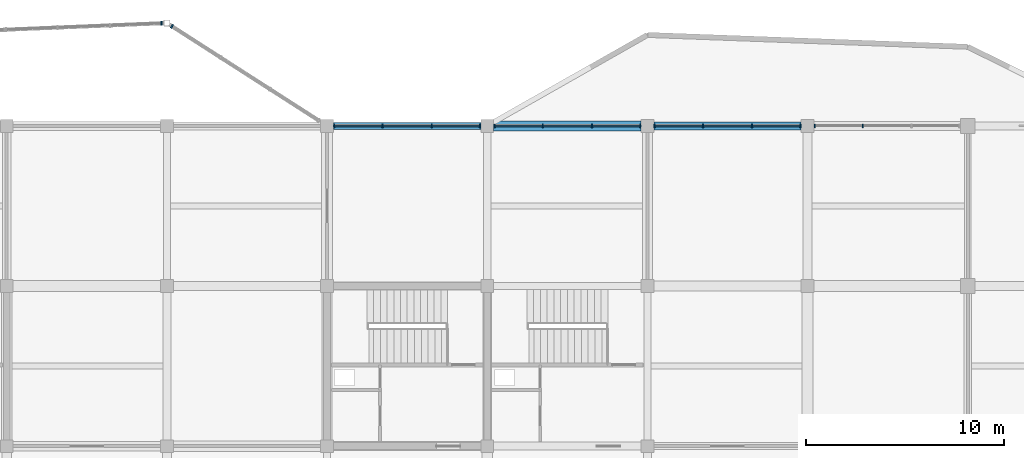
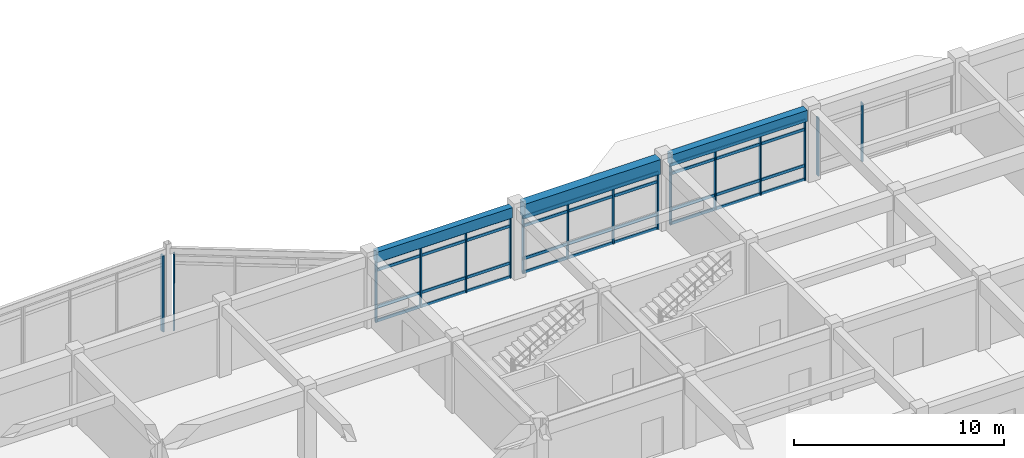
# One storey, part 37 of 70: 28 members, 3 beams, 6 elements without a shape of their own.
"""IFC4 building model written with IfcOpenShell, lengths in metres."""

from ifc_helpers import new_model, si_unit, direction, frame, origin, origin_2d, place, context, subcontext, project, spatial, rectangle, extrude, material, layer, layer_set, material_profile, profile_set, type_object, element, aggregate, save


model = new_model("IFC4")

# Units and contexts
model_context = context("Model", 3, precision=1e-05, world=origin(), true_north=direction((0.0, 1.0)))
body_context = subcontext(model_context, "Body", "Model", "MODEL_VIEW")
ifc_project = project(units=[si_unit("LENGTHUNIT", "METRE"), si_unit("AREAUNIT", "SQUARE_METRE"), si_unit("VOLUMEUNIT", "CUBIC_METRE"), si_unit("PLANEANGLEUNIT", "RADIAN"), si_unit("MASSUNIT", "GRAM", prefix="KILO")], contexts=[model_context])

# Site, building, storey
site_placement = place(None, origin())
site = spatial("IfcSite", under=ifc_project, at=site_placement, CompositionType="ELEMENT")
building_placement = place(site_placement, origin())
building = spatial("IfcBuilding", under=site, at=building_placement, Name="Vaudrelin Polytechnic", CompositionType="ELEMENT")
storey_placement = place(building_placement, frame((0.0, 0.0, 14.110107421875)))
storey = spatial("IfcBuildingStorey", under=building, at=storey_placement, Name="L03", CompositionType="ELEMENT", Elevation=14.110107421875)

# Beams
ifc_material_1 = material(Name="Concrete 40 MPa", Category="concrete")
ifc_material_profile_1 = material_profile(ifc_material_1, rectangle(XDim=0.35009765625, YDim=0.60009765625, at=origin_2d()), Name="RC350x600")
ifc_profile_set_1 = profile_set([ifc_material_profile_1], Name="Concrete 40 MPa")
beam_type_1 = type_object("IfcBeamType", Name="BM-BM-RC3560", PredefinedType="BEAM", material=ifc_profile_set_1)
beam_1_placement = place(storey_placement, frame((105.62109375, 121.5, 3.849853515625), z_axis=(1.0, 0.0, 0.0), x_axis=(0.0, 1.0, 0.0)))
element("IfcBeam", 1, at=beam_1_placement, inside=storey, type_object=beam_type_1, Name="L03 X-beam 14-16", PredefinedType="BEAM", context=body_context, shape_type="SweptSolid", body=[
    extrude(rectangle(XDim=0.35009765625, YDim=0.60009765625, at=origin_2d()), origin(), (0.0, 0.0, 1.0), 7.4580078125),
])
ifc_material_profile_2 = material_profile(ifc_material_1, rectangle(XDim=0.5, YDim=0.85009765625, at=origin_2d()), Name="RC500x850")
ifc_profile_set_2 = profile_set([ifc_material_profile_2], Name="Concrete 40 MPa")
beam_type_2 = type_object("IfcBeamType", Name="BM-BM-RC5085", PredefinedType="BEAM", material=ifc_profile_set_2)
beam_2_placement = place(storey_placement, frame((113.720947265625, 121.5, 3.724853515625), z_axis=(1.0, 0.0, 0.0), x_axis=(0.0, 1.0, 0.0)))
element("IfcBeam", 2, at=beam_2_placement, inside=storey, type_object=beam_type_2, Name="L03 X-beam 15-16", PredefinedType="BEAM", context=body_context, shape_type="SweptSolid", body=[
    extrude(rectangle(XDim=0.5, YDim=0.85009765625, at=origin_2d()), origin(), (0.0, 0.0, 1.0), 7.4580078125),
])
ifc_material_profile_3 = material_profile(ifc_material_1, rectangle(XDim=0.39990234375, YDim=0.64990234375, at=origin_2d()), Name="RC400x650")
ifc_profile_set_3 = profile_set([ifc_material_profile_3], Name="Concrete 40 MPa")
beam_type_3 = type_object("IfcBeamType", Name="BM-SP-RC4065", PredefinedType="SPANDREL", material=ifc_profile_set_3)
beam_3_placement = place(storey_placement, frame((121.821044921875, 121.5, 3.824951171875), z_axis=(1.0, 0.0, 0.0), x_axis=(0.0, 1.0, 0.0)))
element("IfcBeam", 3, at=beam_3_placement, inside=storey, type_object=beam_type_3, Name="L03 X-beam 16-16", PredefinedType="SPANDREL", context=body_context, shape_type="SweptSolid", body=[
    extrude(rectangle(XDim=0.39990234375, YDim=0.64990234375, at=origin_2d()), origin(), (0.0, 0.0, 1.0), 7.4580078125),
])

# Curtain wall, members
ifc_material_2 = material(Name="Thermally broken anodised aluminium AA 6063-T6 and low-e triple glazing", Category="aluminium")
ifc_layer = layer(ifc_material_2, 0.199951171875)
ifc_layer_set = layer_set([ifc_layer], Name="Thermally broken anodised aluminium AA 6063-T6 and low-e triple glazing")
curtain_wall_type = type_object("IfcCurtainWallType", Name="CW-CW-STU", PredefinedType="USERDEFINED", material=ifc_layer_set)
curtain_wall_1_placement = place(storey_placement, origin())
curtain_wall_1 = element("IfcCurtainWall", 4, at=curtain_wall_1_placement, inside=storey, type_object=curtain_wall_type, Name="Curtain wall L03 N_V5_13", ObjectType="CURTAIN WALL", PredefinedType="USERDEFINED")
ifc_material_3 = material(Name="Anodised aluminium AA 6063-T6", Category="aluminium")
ifc_material_profile_4 = material_profile(ifc_material_3, rectangle(XDim=0.06494140625, YDim=0.179931640625, at=origin_2d()), Name="CWM-65x180")
ifc_profile_set_4 = profile_set([ifc_material_profile_4], Name="Anodised aluminium AA 6063-T6")
member_type_1 = type_object("IfcMemberType", Name="MEM-CWM-180", PredefinedType="MULLION", material=ifc_profile_set_4)
member_1_placement = place(storey_placement, frame((105.6630859375, 121.5, 0.0), z_axis=(0.0, 0.0, 1.0), x_axis=(1.0, 0.0, 0.0)))
member_1 = element("IfcMember", 5, at=member_1_placement, type_object=member_type_1, Name="N_V5_13 mullion 1", PredefinedType="MULLION", context=body_context, shape_type="SweptSolid", body=[
    extrude(rectangle(XDim=0.06494140625, YDim=0.179931640625, at=origin_2d()), origin(), (0.0, 0.0, 1.0), 3.552001953125),
])
member_2_placement = place(storey_placement, frame((108.107666015625, 121.5, 0.0), z_axis=(0.0, 0.0, 1.0), x_axis=(1.0, 0.0, 0.0)))
member_2 = element("IfcMember", 6, at=member_2_placement, type_object=member_type_1, Name="N_V5_13 mullion 2", PredefinedType="MULLION", context=body_context, shape_type="SweptSolid", body=[
    extrude(rectangle(XDim=0.06494140625, YDim=0.179931640625, at=origin_2d()), origin(), (0.0, 0.0, 1.0), 3.552001953125),
])
member_3_placement = place(storey_placement, frame((110.59228515625, 121.5, 0.0), z_axis=(0.0, 0.0, 1.0), x_axis=(1.0, 0.0, 0.0)))
member_3 = element("IfcMember", 7, at=member_3_placement, type_object=member_type_1, Name="N_V5_13 mullion 3", PredefinedType="MULLION", context=body_context, shape_type="SweptSolid", body=[
    extrude(rectangle(XDim=0.06494140625, YDim=0.179931640625, at=origin_2d()), origin(), (0.0, 0.0, 1.0), 3.552001953125),
])
member_4_placement = place(storey_placement, frame((113.037109375, 121.5, 0.0), z_axis=(0.0, 0.0, 1.0), x_axis=(1.0, 0.0, 0.0)))
member_4 = element("IfcMember", 8, at=member_4_placement, type_object=member_type_1, Name="N_V5_13 mullion 4", PredefinedType="MULLION", context=body_context, shape_type="SweptSolid", body=[
    extrude(rectangle(XDim=0.06494140625, YDim=0.179931640625, at=origin_2d()), origin(), (0.0, 0.0, 1.0), 3.552001953125),
])

curtain_wall_2_placement = place(storey_placement, origin())
curtain_wall_2 = element("IfcCurtainWall", 9, at=curtain_wall_2_placement, inside=storey, type_object=curtain_wall_type, Name="Curtain wall L03 N_V5_14", ObjectType="CURTAIN WALL", PredefinedType="USERDEFINED")
member_5_placement = place(storey_placement, frame((113.762939453125, 121.5, 0.0), z_axis=(0.0, 0.0, 1.0), x_axis=(1.0, 0.0, 0.0)))
member_5 = element("IfcMember", 10, at=member_5_placement, type_object=member_type_1, Name="N_V5_14 mullion 1", PredefinedType="MULLION", context=body_context, shape_type="SweptSolid", body=[
    extrude(rectangle(XDim=0.06494140625, YDim=0.179931640625, at=origin_2d()), origin(), (0.0, 0.0, 1.0), 3.302001953125),
])
member_6_placement = place(storey_placement, frame((116.207763671875, 121.5, 0.0), z_axis=(0.0, 0.0, 1.0), x_axis=(1.0, 0.0, 0.0)))
member_6 = element("IfcMember", 11, at=member_6_placement, type_object=member_type_1, Name="N_V5_14 mullion 2", PredefinedType="MULLION", context=body_context, shape_type="SweptSolid", body=[
    extrude(rectangle(XDim=0.06494140625, YDim=0.179931640625, at=origin_2d()), origin(), (0.0, 0.0, 1.0), 3.302001953125),
])
member_7_placement = place(storey_placement, frame((118.6923828125, 121.5, 0.0), z_axis=(0.0, 0.0, 1.0), x_axis=(1.0, 0.0, 0.0)))
member_7 = element("IfcMember", 12, at=member_7_placement, type_object=member_type_1, Name="N_V5_14 mullion 3", PredefinedType="MULLION", context=body_context, shape_type="SweptSolid", body=[
    extrude(rectangle(XDim=0.06494140625, YDim=0.179931640625, at=origin_2d()), origin(), (0.0, 0.0, 1.0), 3.302001953125),
])
member_8_placement = place(storey_placement, frame((121.136962890625, 121.5, 0.0), z_axis=(0.0, 0.0, 1.0), x_axis=(1.0, 0.0, 0.0)))
member_8 = element("IfcMember", 13, at=member_8_placement, type_object=member_type_1, Name="N_V5_14 mullion 4", PredefinedType="MULLION", context=body_context, shape_type="SweptSolid", body=[
    extrude(rectangle(XDim=0.06494140625, YDim=0.179931640625, at=origin_2d()), origin(), (0.0, 0.0, 1.0), 3.302001953125),
])

curtain_wall_3_placement = place(storey_placement, origin())
curtain_wall_3 = element("IfcCurtainWall", 14, at=curtain_wall_3_placement, inside=storey, type_object=curtain_wall_type, Name="Curtain wall L03 N_V5_15", ObjectType="CURTAIN WALL", PredefinedType="USERDEFINED")
member_9_placement = place(storey_placement, frame((121.863037109375, 121.5, 0.0), z_axis=(0.0, 0.0, 1.0), x_axis=(1.0, 0.0, 0.0)))
member_9 = element("IfcMember", 15, at=member_9_placement, type_object=member_type_1, Name="N_V5_15 mullion 1", PredefinedType="MULLION", context=body_context, shape_type="SweptSolid", body=[
    extrude(rectangle(XDim=0.06494140625, YDim=0.179931640625, at=origin_2d()), origin(), (0.0, 0.0, 1.0), 3.501953125),
])
member_10_placement = place(storey_placement, frame((124.3076171875, 121.5, 0.0), z_axis=(0.0, 0.0, 1.0), x_axis=(1.0, 0.0, 0.0)))
member_10 = element("IfcMember", 16, at=member_10_placement, type_object=member_type_1, Name="N_V5_15 mullion 2", PredefinedType="MULLION", context=body_context, shape_type="SweptSolid", body=[
    extrude(rectangle(XDim=0.06494140625, YDim=0.179931640625, at=origin_2d()), origin(), (0.0, 0.0, 1.0), 3.501953125),
])
member_11_placement = place(storey_placement, frame((126.792236328125, 121.5, 0.0), z_axis=(0.0, 0.0, 1.0), x_axis=(1.0, 0.0, 0.0)))
member_11 = element("IfcMember", 17, at=member_11_placement, type_object=member_type_1, Name="N_V5_15 mullion 3", PredefinedType="MULLION", context=body_context, shape_type="SweptSolid", body=[
    extrude(rectangle(XDim=0.06494140625, YDim=0.179931640625, at=origin_2d()), origin(), (0.0, 0.0, 1.0), 3.501953125),
])
member_12_placement = place(storey_placement, frame((129.237060546875, 121.5, 0.0), z_axis=(0.0, 0.0, 1.0), x_axis=(1.0, 0.0, 0.0)))
member_12 = element("IfcMember", 18, at=member_12_placement, type_object=member_type_1, Name="N_V5_15 mullion 4", PredefinedType="MULLION", context=body_context, shape_type="SweptSolid", body=[
    extrude(rectangle(XDim=0.06494140625, YDim=0.179931640625, at=origin_2d()), origin(), (0.0, 0.0, 1.0), 3.501953125),
])

curtain_wall_4_placement = place(storey_placement, origin())
curtain_wall_4 = element("IfcCurtainWall", 19, at=curtain_wall_4_placement, inside=storey, type_object=curtain_wall_type, Name="Curtain wall L03 N_V5_16", ObjectType="CURTAIN WALL", PredefinedType="USERDEFINED")
member_13_placement = place(storey_placement, frame((129.962890625, 121.5, 0.0), z_axis=(0.0, 0.0, 1.0), x_axis=(1.0, 0.0, 0.0)))
member_13 = element("IfcMember", 20, at=member_13_placement, type_object=member_type_1, Name="N_V5_16 mullion 1", PredefinedType="MULLION", context=body_context, shape_type="SweptSolid", body=[
    extrude(rectangle(XDim=0.06494140625, YDim=0.179931640625, at=origin_2d()), origin(), (0.0, 0.0, 1.0), 3.40185546875),
])
member_14_placement = place(storey_placement, frame((132.39111328125, 121.5, 0.0), z_axis=(0.0, 0.0, 1.0), x_axis=(1.0, 0.0, 0.0)))
member_14 = element("IfcMember", 21, at=member_14_placement, type_object=member_type_1, Name="N_V5_16 mullion 2", PredefinedType="MULLION", context=body_context, shape_type="SweptSolid", body=[
    extrude(rectangle(XDim=0.06494140625, YDim=0.179931640625, at=origin_2d()), origin(), (0.0, 0.0, 1.0), 3.40185546875),
])
aggregate(curtain_wall_4, [member_13, member_14])

# Curtain wall, member
curtain_wall_5_placement = place(storey_placement, origin())
curtain_wall_5 = element("IfcCurtainWall", 22, at=curtain_wall_5_placement, inside=storey, type_object=curtain_wall_type, Name="Curtain wall L03 N_OR2_2_2", ObjectType="CURTAIN WALL", PredefinedType="USERDEFINED")
ifc_material_profile_5 = material_profile(ifc_material_3, rectangle(XDim=0.074951171875, YDim=0.219970703125, at=origin_2d()), Name="CWM-75x220")
ifc_profile_set_5 = profile_set([ifc_material_profile_5], Name="Anodised aluminium AA 6063-T6")
member_type_2 = type_object("IfcMemberType", Name="MEM-CWM-220", PredefinedType="MULLION", material=ifc_profile_set_5)
member_15_placement = place(storey_placement, frame((96.922607421875, 126.688720703125, -0.630126953125), z_axis=(0.0, 0.0, 1.0), x_axis=(0.999154417424, 0.041115084128, 0.0)))
member_15 = element("IfcMember", 23, at=member_15_placement, type_object=member_type_2, Name="N_OR2_2_2 mullion 4", PredefinedType="MULLION", context=body_context, shape_type="SweptSolid", body=[
    extrude(rectangle(XDim=0.074951171875, YDim=0.219970703125, at=origin_2d()), origin(), (0.0, 0.0, 1.0), 4.43994140625),
])
aggregate(curtain_wall_5, [member_15])

curtain_wall_6_placement = place(storey_placement, origin())
curtain_wall_6 = element("IfcCurtainWall", 24, at=curtain_wall_6_placement, inside=storey, type_object=curtain_wall_type, Name="Curtain wall L03 N_OR2_3_0", ObjectType="CURTAIN WALL", PredefinedType="USERDEFINED")
member_16_placement = place(storey_placement, frame((97.457763671875, 126.53466796875, -0.630126953125), z_axis=(0.0, 0.0, 1.0), x_axis=(0.841518641414, -0.540228077901, 0.0)))
member_16 = element("IfcMember", 25, at=member_16_placement, type_object=member_type_2, Name="N_OR2_3_0 mullion 1", PredefinedType="MULLION", context=body_context, shape_type="SweptSolid", body=[
    extrude(rectangle(XDim=0.074951171875, YDim=0.219970703125, at=origin_2d()), origin(), (0.0, 0.0, 1.0), 4.43994140625),
])
aggregate(curtain_wall_6, [member_16])

# Member
ifc_material_profile_6 = material_profile(ifc_material_3, rectangle(XDim=0.074951171875, YDim=0.1650390625, at=origin_2d()), Name="CWT-75x165")
ifc_profile_set_6 = profile_set([ifc_material_profile_6], Name="Anodised aluminium AA 6063-T6")
member_type_3 = type_object("IfcMemberType", Name="MEM-CWT-165", PredefinedType="USERDEFINED", material=ifc_profile_set_6)
member_17_placement = place(storey_placement, frame((105.623046875, 121.5, 0.0498046875), z_axis=(1.0, 0.0, 0.0), x_axis=(0.0, 1.0, 0.0)))
member_17 = element("IfcMember", 26, at=member_17_placement, type_object=member_type_3, Name="N_V5_13 transom 1", ObjectType="TRANSOM", PredefinedType="USERDEFINED", context=body_context, shape_type="SweptSolid", body=[
    extrude(rectangle(XDim=0.074951171875, YDim=0.1650390625, at=origin_2d()), origin(), (0.0, 0.0, 1.0), 7.453857421875),
])

member_18_placement = place(storey_placement, frame((105.623046875, 121.5, 0.849853515625), z_axis=(1.0, 0.0, 0.0), x_axis=(0.0, 1.0, 0.0)))
member_18 = element("IfcMember", 27, at=member_18_placement, type_object=member_type_3, Name="N_V5_13 transom 2", ObjectType="TRANSOM", PredefinedType="USERDEFINED", context=body_context, shape_type="SweptSolid", body=[
    extrude(rectangle(XDim=0.074951171875, YDim=0.1650390625, at=origin_2d()), origin(), (0.0, 0.0, 1.0), 7.453857421875),
])

member_19_placement = place(storey_placement, frame((105.623046875, 121.5, 3.001953125), z_axis=(1.0, 0.0, 0.0), x_axis=(0.0, 1.0, 0.0)))
member_19 = element("IfcMember", 28, at=member_19_placement, type_object=member_type_3, Name="N_V5_13 transom 3", ObjectType="TRANSOM", PredefinedType="USERDEFINED", context=body_context, shape_type="SweptSolid", body=[
    extrude(rectangle(XDim=0.074951171875, YDim=0.1650390625, at=origin_2d()), origin(), (0.0, 0.0, 1.0), 7.453857421875),
])

member_20_placement = place(storey_placement, frame((105.623046875, 121.5, 3.501953125), z_axis=(1.0, 0.0, 0.0), x_axis=(0.0, 1.0, 0.0)))
member_20 = element("IfcMember", 29, at=member_20_placement, type_object=member_type_3, Name="N_V5_13 transom 4", ObjectType="TRANSOM", PredefinedType="USERDEFINED", context=body_context, shape_type="SweptSolid", body=[
    extrude(rectangle(XDim=0.074951171875, YDim=0.1650390625, at=origin_2d()), origin(), (0.0, 0.0, 1.0), 7.453857421875),
])

aggregate(curtain_wall_1, [member_1, member_2, member_3, member_4, member_17, member_18, member_19, member_20])

member_21_placement = place(storey_placement, frame((113.722900390625, 121.5, 0.0498046875), z_axis=(1.0, 0.0, 0.0), x_axis=(0.0, 1.0, 0.0)))
member_21 = element("IfcMember", 30, at=member_21_placement, type_object=member_type_3, Name="N_V5_14 transom 1", ObjectType="TRANSOM", PredefinedType="USERDEFINED", context=body_context, shape_type="SweptSolid", body=[
    extrude(rectangle(XDim=0.074951171875, YDim=0.1650390625, at=origin_2d()), origin(), (0.0, 0.0, 1.0), 7.4541015625),
])

member_22_placement = place(storey_placement, frame((113.722900390625, 121.5, 0.849853515625), z_axis=(1.0, 0.0, 0.0), x_axis=(0.0, 1.0, 0.0)))
member_22 = element("IfcMember", 31, at=member_22_placement, type_object=member_type_3, Name="N_V5_14 transom 2", ObjectType="TRANSOM", PredefinedType="USERDEFINED", context=body_context, shape_type="SweptSolid", body=[
    extrude(rectangle(XDim=0.074951171875, YDim=0.1650390625, at=origin_2d()), origin(), (0.0, 0.0, 1.0), 7.4541015625),
])

member_23_placement = place(storey_placement, frame((113.722900390625, 121.5, 2.751953125), z_axis=(1.0, 0.0, 0.0), x_axis=(0.0, 1.0, 0.0)))
member_23 = element("IfcMember", 32, at=member_23_placement, type_object=member_type_3, Name="N_V5_14 transom 3", ObjectType="TRANSOM", PredefinedType="USERDEFINED", context=body_context, shape_type="SweptSolid", body=[
    extrude(rectangle(XDim=0.074951171875, YDim=0.1650390625, at=origin_2d()), origin(), (0.0, 0.0, 1.0), 7.4541015625),
])

member_24_placement = place(storey_placement, frame((113.722900390625, 121.5, 3.251953125), z_axis=(1.0, 0.0, 0.0), x_axis=(0.0, 1.0, 0.0)))
member_24 = element("IfcMember", 33, at=member_24_placement, type_object=member_type_3, Name="N_V5_14 transom 4", ObjectType="TRANSOM", PredefinedType="USERDEFINED", context=body_context, shape_type="SweptSolid", body=[
    extrude(rectangle(XDim=0.074951171875, YDim=0.1650390625, at=origin_2d()), origin(), (0.0, 0.0, 1.0), 7.4541015625),
])

aggregate(curtain_wall_2, [member_5, member_6, member_7, member_8, member_21, member_22, member_23, member_24])

member_25_placement = place(storey_placement, frame((121.822998046875, 121.5, 0.0498046875), z_axis=(1.0, 0.0, 0.0), x_axis=(0.0, 1.0, 0.0)))
member_25 = element("IfcMember", 34, at=member_25_placement, type_object=member_type_3, Name="N_V5_15 transom 1", ObjectType="TRANSOM", PredefinedType="USERDEFINED", context=body_context, shape_type="SweptSolid", body=[
    extrude(rectangle(XDim=0.074951171875, YDim=0.1650390625, at=origin_2d()), origin(), (0.0, 0.0, 1.0), 7.4541015625),
])

member_26_placement = place(storey_placement, frame((121.822998046875, 121.5, 0.849853515625), z_axis=(1.0, 0.0, 0.0), x_axis=(0.0, 1.0, 0.0)))
member_26 = element("IfcMember", 35, at=member_26_placement, type_object=member_type_3, Name="N_V5_15 transom 2", ObjectType="TRANSOM", PredefinedType="USERDEFINED", context=body_context, shape_type="SweptSolid", body=[
    extrude(rectangle(XDim=0.074951171875, YDim=0.1650390625, at=origin_2d()), origin(), (0.0, 0.0, 1.0), 7.4541015625),
])

member_27_placement = place(storey_placement, frame((121.822998046875, 121.5, 2.951904296875), z_axis=(1.0, 0.0, 0.0), x_axis=(0.0, 1.0, 0.0)))
member_27 = element("IfcMember", 36, at=member_27_placement, type_object=member_type_3, Name="N_V5_15 transom 3", ObjectType="TRANSOM", PredefinedType="USERDEFINED", context=body_context, shape_type="SweptSolid", body=[
    extrude(rectangle(XDim=0.074951171875, YDim=0.1650390625, at=origin_2d()), origin(), (0.0, 0.0, 1.0), 7.4541015625),
])

member_28_placement = place(storey_placement, frame((121.822998046875, 121.5, 3.451904296875), z_axis=(1.0, 0.0, 0.0), x_axis=(0.0, 1.0, 0.0)))
member_28 = element("IfcMember", 37, at=member_28_placement, type_object=member_type_3, Name="N_V5_15 transom 4", ObjectType="TRANSOM", PredefinedType="USERDEFINED", context=body_context, shape_type="SweptSolid", body=[
    extrude(rectangle(XDim=0.074951171875, YDim=0.1650390625, at=origin_2d()), origin(), (0.0, 0.0, 1.0), 7.4541015625),
])

aggregate(curtain_wall_3, [member_9, member_10, member_11, member_12, member_25, member_26, member_27, member_28])

save(model, "model.ifc")
